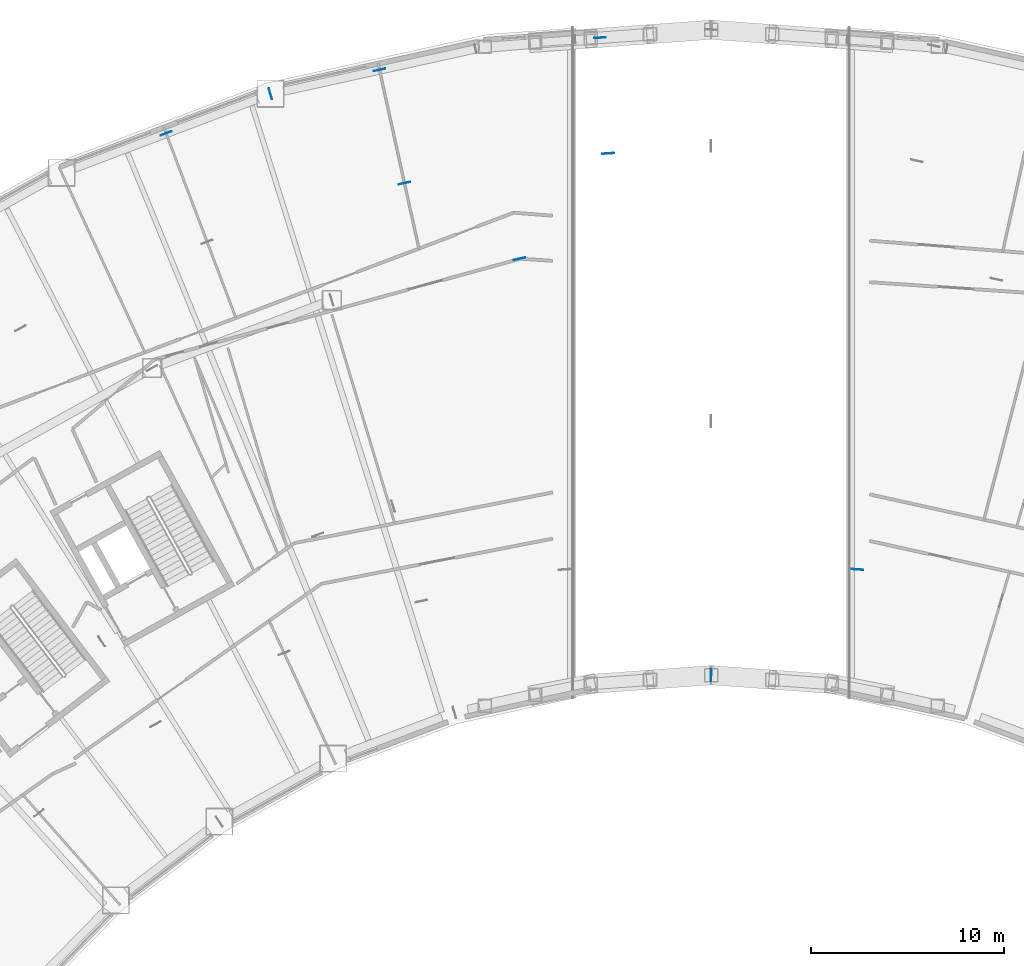
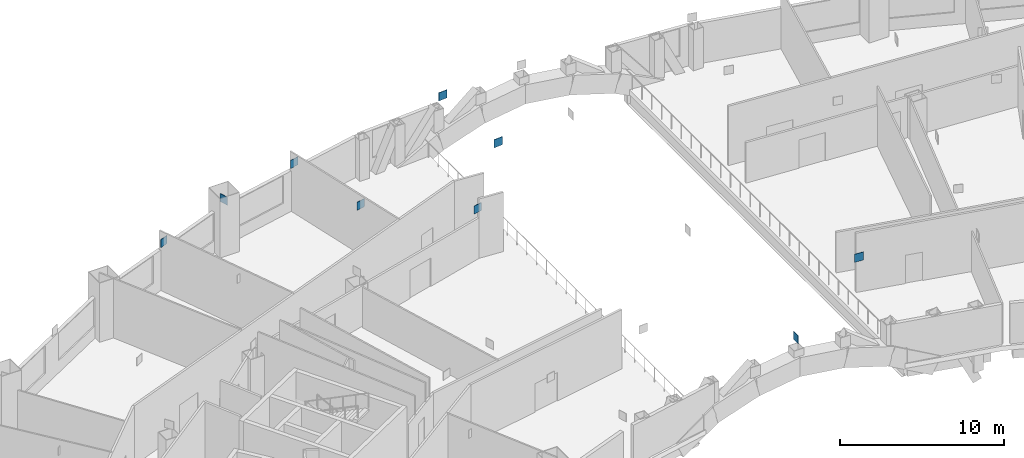
# One storey, part 18 of 24: 9 discrete accessories.
"""IFC4 building model written with IfcOpenShell, lengths in metres."""

from ifc_helpers import new_model, si_unit, direction, frame, origin, origin_2d, place, context, subcontext, project, spatial, rectangle, extrude, material, type_object, element, save


model = new_model("IFC4")

# Units and contexts
model_context = context("Model", 3, precision=1e-05, world=origin(), true_north=direction((0.0, 1.0)))
body_context = subcontext(model_context, "Body", "Model", "MODEL_VIEW")
ifc_project = project(units=[si_unit("LENGTHUNIT", "METRE"), si_unit("AREAUNIT", "SQUARE_METRE"), si_unit("VOLUMEUNIT", "CUBIC_METRE"), si_unit("PLANEANGLEUNIT", "RADIAN"), si_unit("MASSUNIT", "GRAM", prefix="KILO")], contexts=[model_context])

# Site, building, storey
site_placement = place(None, origin())
site = spatial("IfcSite", under=ifc_project, at=site_placement, CompositionType="ELEMENT")
building_placement = place(site_placement, origin())
building = spatial("IfcBuilding", under=site, at=building_placement, Name="Tuul Gate Civic Tower", CompositionType="ELEMENT")
storey_placement = place(building_placement, frame((0.0, 0.0, 21.89990234375)))
storey = spatial("IfcBuildingStorey", under=building, at=storey_placement, Name="Level 04", CompositionType="ELEMENT", Elevation=21.89990234375)

# Discrete accessories
ifc_material = material(Name="Steel S355", Category="steel")
discrete_accessory_type = type_object("IfcDiscreteAccessoryType", Name="Gusset plate", PredefinedType="BRACKET", material=ifc_material)
for number, where, z_axis, x_axis, name in (
    (1, (-17.154052734375, 17.83740234375, 3.396728515625), (0.0, 0.0, 1.0), (0.976566621246, 0.215215320711, 0.0), "Gusset plate"),
    (2, (-28.19189453125, 14.552978515625, 3.396728515625), (0.0, 0.0, 1.0), (0.935357515415, 0.353703715497, 0.0), "Gusset plate"),
    (3, (-5.758056640625, 19.4970703125, 3.396728515625), (0.0, 0.0, 1.0), (0.997387871366, 0.072231807765, 0.0), "Gusset plate"),
    (4, (-15.863037109375, 11.97802734375, 3.396728515625), (0.0, 0.0, 1.0), (0.97656894253, 0.215204787319, 0.0), "Gusset plate"),
    (5, (-5.324462890625, 13.512451171875, 3.396728515625), (0.0, 0.0, 1.0), (0.997389294483, 0.072212154455, 0.0), "Gusset plate"),
    (6, (-22.793212890625, 16.5986328125, 3.39697265625), (0.0, 0.0, 1.0), (0.28519561857, -0.958469331355, 0.0), "Gusset plate"),
    (7, (0.0, -13.476806640625, 3.39697265625), (0.0, 0.0, 1.0), (0.0, 1.0, 0.0), "Gusset plate"),
    (8, (-9.908935546875, 8.06787109375, 3.396484375), (0.0, 0.0, 1.0), (-0.976565152543, -0.215221985028, 0.0), "Gusset plate"),
    (9, (7.576171875, -8.00634765625, 3.397216796875), (0.0, 0.0, 1.0), (-0.997381904937, 0.07231414595, 0.0), "Gusset plate"),
):
    element("IfcDiscreteAccessory", number, at=place(storey_placement, frame(where, z_axis=z_axis, x_axis=x_axis)), inside=storey, type_object=discrete_accessory_type, Name=name, PredefinedType="BRACKET", context=body_context, shape_type="SweptSolid", body=[
        extrude(rectangle(XDim=0.60009765625, YDim=0.030029296875, at=origin_2d()), origin(), (0.0, 0.0, 1.0), 0.60009765625),
    ])

save(model, "model.ifc")
